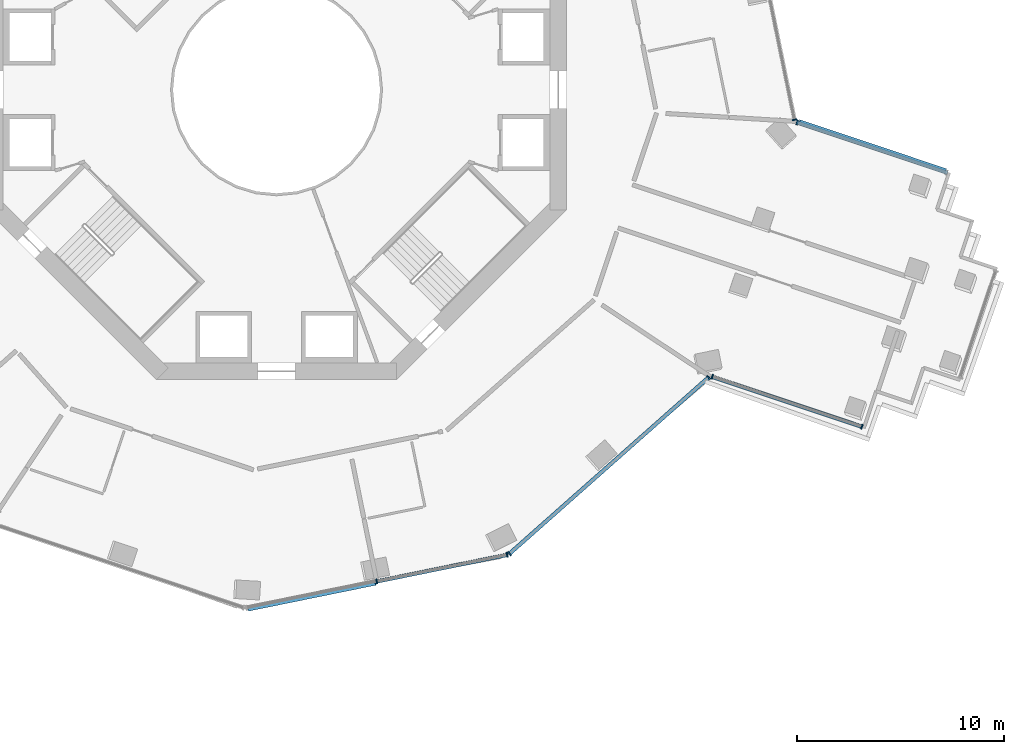
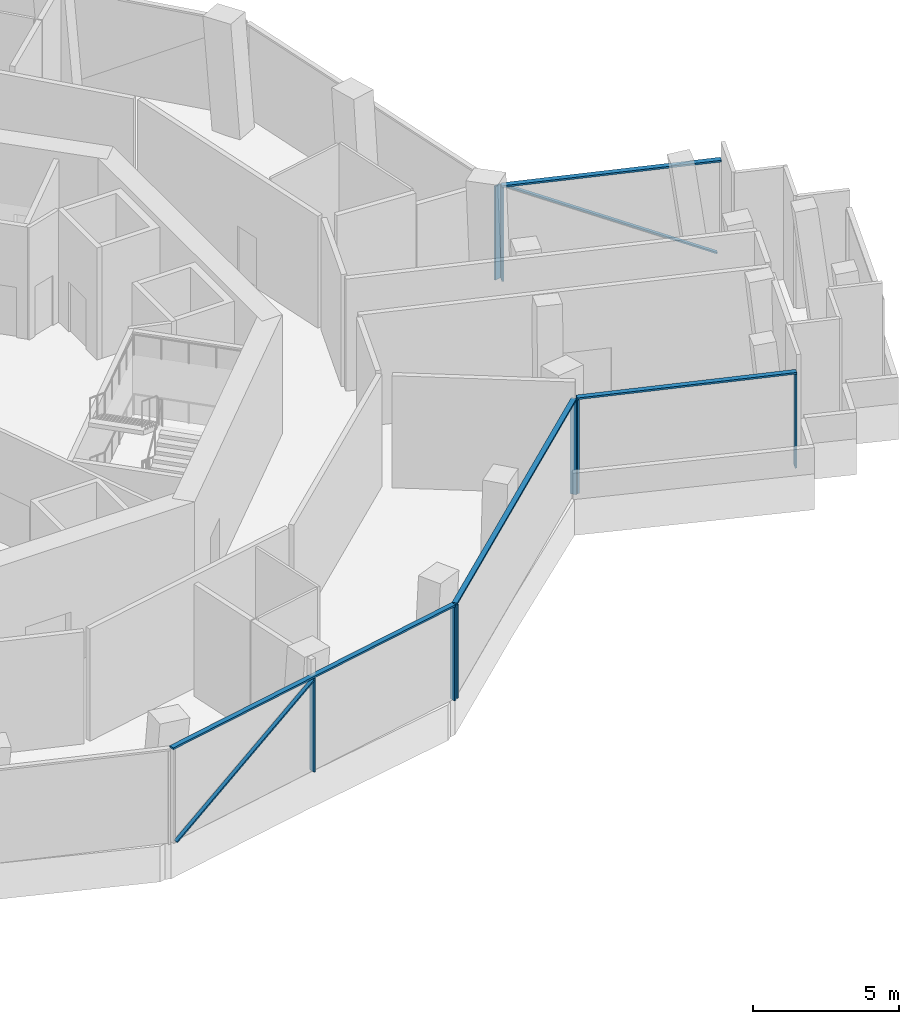
# One storey, part 3 of 20: 14 members, 5 elements without a shape of their own.
"""IFC4 building model written with IfcOpenShell, lengths in metres."""

from ifc_helpers import new_model, si_unit, direction, frame, origin, origin_2d, place, context, subcontext, project, spatial, rectangle, extrude, material, layer, layer_set, material_profile, profile_set, type_object, element, aggregate, save


model = new_model("IFC4")

# Units and contexts
model_context = context("Model", 3, precision=1e-05, world=origin(), true_north=direction((0.0, 1.0)))
body_context = subcontext(model_context, "Body", "Model", "MODEL_VIEW")
ifc_project = project(units=[si_unit("LENGTHUNIT", "METRE"), si_unit("AREAUNIT", "SQUARE_METRE"), si_unit("VOLUMEUNIT", "CUBIC_METRE"), si_unit("PLANEANGLEUNIT", "RADIAN"), si_unit("MASSUNIT", "GRAM", prefix="KILO")], contexts=[model_context])

# Site, building, storey
site_placement = place(None, origin())
site = spatial("IfcSite", under=ifc_project, at=site_placement, CompositionType="ELEMENT")
building_placement = place(site_placement, origin())
building = spatial("IfcBuilding", under=site, at=building_placement, Name="Verdalira Terraces Hotel", CompositionType="ELEMENT")
storey_placement = place(building_placement, frame((0.0, 0.0, 81.0)))
storey = spatial("IfcBuildingStorey", under=building, at=storey_placement, Name="L18", CompositionType="ELEMENT", Elevation=81.0)

# Curtain wall, members
ifc_material_1 = material(Name="Clear glass", Category="glass")
ifc_layer = layer(ifc_material_1, 0.239990234375)
ifc_layer_set = layer_set([ifc_layer], Name="CW5 curtain wall")
curtain_wall_type = type_object("IfcCurtainWallType", Name="CW5 curtain wall", PredefinedType="NOTDEFINED", material=ifc_layer_set)
curtain_wall_1_placement = place(storey_placement, origin())
curtain_wall_1 = element("IfcCurtainWall", 1, at=curtain_wall_1_placement, inside=storey, type_object=curtain_wall_type, Name="CW5 curtain wall L18 edge 26", PredefinedType="NOTDEFINED")
ifc_material_2 = material(Name="Terracotta frame", Category="masonry")
ifc_material_profile_1 = material_profile(ifc_material_2, rectangle(XDim=0.070068, YDim=0.23999, at=origin_2d()), Name="MU 70x240")
ifc_profile_set_1 = profile_set([ifc_material_profile_1], Name="Terracotta frame")
member_type_1 = type_object("IfcMemberType", Name="CW5 mullion 70x240", PredefinedType="MULLION", material=ifc_profile_set_1)
member_1_placement = place(storey_placement, frame((4.838623, -23.740234, 0.0), z_axis=(0.0, 0.0, 1.0), x_axis=(0.979855052, 0.199709981, 0.0)))
member_1 = element("IfcMember", 2, at=member_1_placement, type_object=member_type_1, Name="CW5 mullion", PredefinedType="MULLION", context=body_context, shape_type="SweptSolid", body=[
    extrude(rectangle(XDim=0.070068, YDim=0.23999, at=origin_2d()), origin(), (0.0, 0.0, 1.0), 3.915039),
])
member_2_placement = place(storey_placement, frame((11.134033, -22.457275, 0.0), z_axis=(0.0, 0.0, 1.0), x_axis=(0.979855052, 0.199709981, 0.0)))
member_2 = element("IfcMember", 3, at=member_2_placement, type_object=member_type_1, Name="CW5 mullion", PredefinedType="MULLION", context=body_context, shape_type="SweptSolid", body=[
    extrude(rectangle(XDim=0.070068, YDim=0.23999, at=origin_2d()), origin(), (0.0, 0.0, 1.0), 3.915039),
])

curtain_wall_2_placement = place(storey_placement, origin())
curtain_wall_2 = element("IfcCurtainWall", 4, at=curtain_wall_2_placement, inside=storey, type_object=curtain_wall_type, Name="CW5 curtain wall L18 edge 27", PredefinedType="NOTDEFINED")
member_3_placement = place(storey_placement, frame((11.25, -22.39917, 0.0), z_axis=(0.0, 0.0, 1.0), x_axis=(0.748724377, 0.662881443, 0.0)))
member_3 = element("IfcMember", 5, at=member_3_placement, type_object=member_type_1, Name="CW5 mullion", PredefinedType="MULLION", context=body_context, shape_type="SweptSolid", body=[
    extrude(rectangle(XDim=0.070068, YDim=0.23999, at=origin_2d()), origin(), (0.0, 0.0, 1.0), 3.915039),
])
member_4_placement = place(storey_placement, frame((20.862061, -13.88916, 0.0), z_axis=(0.0, 0.0, 1.0), x_axis=(0.748724377, 0.662881443, 0.0)))
member_4 = element("IfcMember", 6, at=member_4_placement, type_object=member_type_1, Name="CW5 mullion", PredefinedType="MULLION", context=body_context, shape_type="SweptSolid", body=[
    extrude(rectangle(XDim=0.070068, YDim=0.23999, at=origin_2d()), origin(), (0.0, 0.0, 1.0), 3.915039),
])

curtain_wall_3_placement = place(storey_placement, origin())
curtain_wall_3 = element("IfcCurtainWall", 7, at=curtain_wall_3_placement, inside=storey, type_object=curtain_wall_type, Name="CW5 curtain wall L18 edge 28", PredefinedType="NOTDEFINED")
member_5_placement = place(storey_placement, frame((21.039062, -13.853271, 0.0), z_axis=(0.0, 0.0, 1.0), x_axis=(0.948434358, -0.31697361, 0.0)))
member_5 = element("IfcMember", 8, at=member_5_placement, type_object=member_type_1, Name="CW5 mullion", PredefinedType="MULLION", context=body_context, shape_type="SweptSolid", body=[
    extrude(rectangle(XDim=0.070068, YDim=0.23999, at=origin_2d()), origin(), (0.0, 0.0, 1.0), 3.915039),
])
member_6_placement = place(storey_placement, frame((28.265869, -16.268311, 0.0), z_axis=(0.0, 0.0, 1.0), x_axis=(0.948434358, -0.31697361, 0.0)))
member_6 = element("IfcMember", 9, at=member_6_placement, type_object=member_type_1, Name="CW5 mullion", PredefinedType="MULLION", context=body_context, shape_type="SweptSolid", body=[
    extrude(rectangle(XDim=0.070068, YDim=0.23999, at=origin_2d()), origin(), (0.0, 0.0, 1.0), 3.915039),
])

# Curtain wall, member
curtain_wall_4_placement = place(storey_placement, origin())
curtain_wall_4 = element("IfcCurtainWall", 10, at=curtain_wall_4_placement, inside=storey, type_object=curtain_wall_type, Name="CW5 curtain wall L18 edge 38", PredefinedType="NOTDEFINED")
member_7_placement = place(storey_placement, frame((25.140625, -1.580566, 0.0), z_axis=(0.0, 0.0, 1.0), x_axis=(-0.948434358, 0.31697361, 0.0)))
member_7 = element("IfcMember", 11, at=member_7_placement, type_object=member_type_1, Name="CW5 mullion", PredefinedType="MULLION", context=body_context, shape_type="SweptSolid", body=[
    extrude(rectangle(XDim=0.070068, YDim=0.23999, at=origin_2d()), origin(), (0.0, 0.0, 1.0), 3.915039),
])

curtain_wall_5_placement = place(storey_placement, origin())
curtain_wall_5 = element("IfcCurtainWall", 12, at=curtain_wall_5_placement, inside=storey, type_object=curtain_wall_type, Name="CW5 curtain wall L18 edge 39", PredefinedType="NOTDEFINED")
member_8_placement = place(storey_placement, frame((25.020996, -1.445312, 0.0), z_axis=(0.0, 0.0, 1.0), x_axis=(-0.199709981, 0.979855052, 0.0)))
member_8 = element("IfcMember", 13, at=member_8_placement, type_object=member_type_1, Name="CW5 mullion", PredefinedType="MULLION", context=body_context, shape_type="SweptSolid", body=[
    extrude(rectangle(XDim=0.070068, YDim=0.23999, at=origin_2d()), origin(), (0.0, 0.0, 1.0), 3.915039),
])
aggregate(curtain_wall_5, [member_8])

# Member
ifc_material_3 = material(Name="Terracotta frame", Category="masonry")
ifc_material_profile_2 = material_profile(ifc_material_3, rectangle(XDim=0.189941, YDim=0.074951, at=origin_2d()), Name="TR 75x190")
ifc_profile_set_2 = profile_set([ifc_material_profile_2], Name="Terracotta frame")
member_type_2 = type_object("IfcMemberType", Name="CW5 transom 75x190", PredefinedType="USERDEFINED", material=ifc_profile_set_2)
member_9_placement = place(storey_placement, frame((-1.490967, -25.030273, 3.952393), z_axis=(0.97985601, 0.199705283, 0.0), x_axis=(-0.199705283, 0.97985601, 0.0)))
member_9 = element("IfcMember", 14, at=member_9_placement, type_object=member_type_2, Name="CW5 transom", ObjectType="TRANSOM", PredefinedType="USERDEFINED", context=body_context, shape_type="SweptSolid", body=[
    extrude(rectangle(XDim=0.189941, YDim=0.074951, at=origin_2d()), origin(), (0.0, 0.0, 1.0), 12.919434),
])

member_10_placement = place(storey_placement, frame((11.223877, -22.422363, 3.952393), z_axis=(0.748727907, 0.662877456, 0.0), x_axis=(-0.662877456, 0.748727907, 0.0)))
member_10 = element("IfcMember", 15, at=member_10_placement, type_object=member_type_2, Name="CW5 transom", ObjectType="TRANSOM", PredefinedType="USERDEFINED", context=body_context, shape_type="SweptSolid", body=[
    extrude(rectangle(XDim=0.189941, YDim=0.074951, at=origin_2d()), origin(), (0.0, 0.0, 1.0), 12.907959),
])

aggregate(curtain_wall_2, [member_3, member_4, member_10])

member_11_placement = place(storey_placement, frame((21.005859, -13.842041, 3.952393), z_axis=(0.948432184, -0.316980113, 0.0), x_axis=(0.316980113, 0.948432184, 0.0)))
member_11 = element("IfcMember", 16, at=member_11_placement, type_object=member_type_2, Name="CW5 transom", ObjectType="TRANSOM", PredefinedType="USERDEFINED", context=body_context, shape_type="SweptSolid", body=[
    extrude(rectangle(XDim=0.189941, YDim=0.074951, at=origin_2d()), origin(), (0.0, 0.0, 1.0), 7.689697),
])

aggregate(curtain_wall_3, [member_5, member_6, member_11])

member_12_placement = place(storey_placement, frame((32.400635, -4.006836, 3.952393), z_axis=(-0.948432184, 0.316980113, 0.0), x_axis=(-0.316980113, -0.948432184, 0.0)))
member_12 = element("IfcMember", 17, at=member_12_placement, type_object=member_type_2, Name="CW5 transom", ObjectType="TRANSOM", PredefinedType="USERDEFINED", context=body_context, shape_type="SweptSolid", body=[
    extrude(rectangle(XDim=0.189941, YDim=0.074951, at=origin_2d()), origin(), (0.0, 0.0, 1.0), 7.689697),
])

ifc_material_4 = material(Name="Terracotta frame", Category="masonry")
ifc_material_profile_3 = material_profile(ifc_material_4, rectangle(XDim=0.149902, YDim=0.060059, at=origin_2d()), Name="GB 60x150")
ifc_profile_set_3 = profile_set([ifc_material_profile_3], Name="Terracotta frame")
member_type_3 = type_object("IfcMemberType", Name="Diagonal glazing bar 60x150", PredefinedType="USERDEFINED", material=ifc_profile_set_3)
member_13_placement = place(storey_placement, frame((-1.36084, -25.102783, 0.026611), z_axis=(0.834250758, 0.170040061, 0.524511248), x_axis=(-0.199717358, 0.979853549, 0.0)))
member_13 = element("IfcMember", 18, at=member_13_placement, type_object=member_type_3, Name="Diagonal glazing bar", ObjectType="GLAZING BAR", PredefinedType="USERDEFINED", context=body_context, shape_type="SweptSolid", body=[
    extrude(rectangle(XDim=0.149902, YDim=0.060059, at=origin_2d()), origin(), (0.0, 0.0, 1.0), 7.362793),
])

aggregate(curtain_wall_1, [member_1, member_2, member_9, member_13])

member_14_placement = place(storey_placement, frame((32.314697, -3.875732, 0.027588), z_axis=(-0.841961396, 0.281391442, 0.460347547), x_axis=(-0.316975499, -0.948433726, 0.0)))
member_14 = element("IfcMember", 19, at=member_14_placement, type_object=member_type_3, Name="Diagonal glazing bar", ObjectType="GLAZING BAR", PredefinedType="USERDEFINED", context=body_context, shape_type="SweptSolid", body=[
    extrude(rectangle(XDim=0.149902, YDim=0.060059, at=origin_2d()), origin(), (0.0, 0.0, 1.0), 8.384766),
])

aggregate(curtain_wall_4, [member_7, member_12, member_14])

save(model, "model.ifc")
